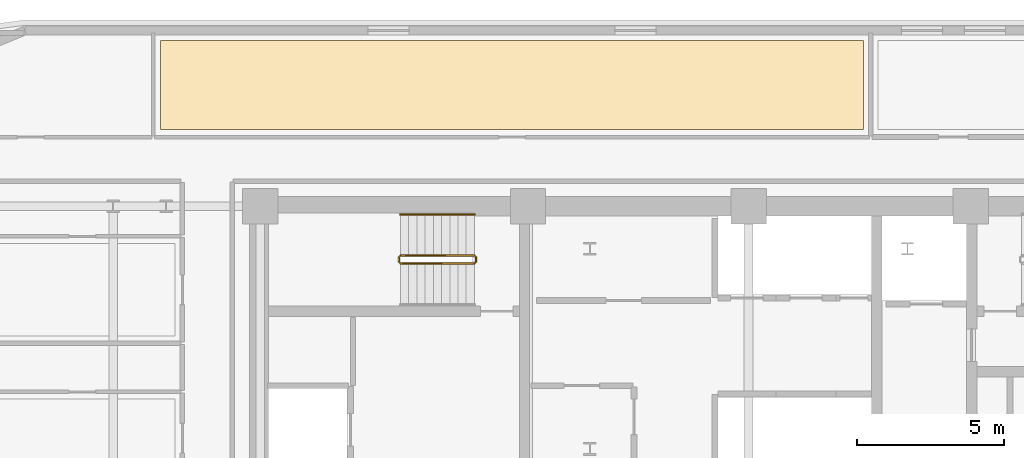
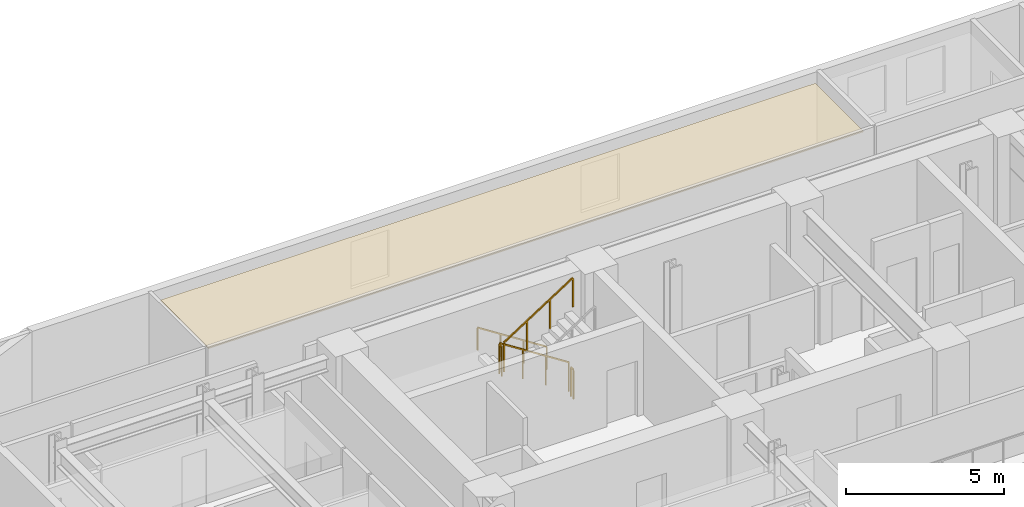
# One storey, part 13 of 14: 5 railings, 1 covering.
"""IFC4 building model written with IfcOpenShell, lengths in metres."""

from ifc_helpers import new_model, si_unit, direction, frame, origin, origin_2d, place, context, subcontext, project, spatial, polyline, rectangle, outline, extrude, material, layer, layer_set, type_object, element, save


model = new_model("IFC4")

# Units and contexts
model_context = context("Model", 3, precision=1e-05, world=origin(), true_north=direction((0.0, 1.0)))
body_context = subcontext(model_context, "Body", "Model", "MODEL_VIEW")
ifc_project = project(units=[si_unit("LENGTHUNIT", "METRE"), si_unit("AREAUNIT", "SQUARE_METRE"), si_unit("VOLUMEUNIT", "CUBIC_METRE"), si_unit("PLANEANGLEUNIT", "RADIAN"), si_unit("MASSUNIT", "GRAM", prefix="KILO")], contexts=[model_context])

# Site, building, storey
site_placement = place(None, origin())
site = spatial("IfcSite", under=ifc_project, at=site_placement, CompositionType="ELEMENT")
building_placement = place(site_placement, origin())
building = spatial("IfcBuilding", under=site, at=building_placement, Name="Zarnavel Station Tower", CompositionType="ELEMENT")
storey_placement = place(building_placement, frame((0.0, 0.0, 129.300048828125)))
storey = spatial("IfcBuildingStorey", under=building, at=storey_placement, Name="L35", CompositionType="ELEMENT", Elevation=129.300048828125)

# Covering
ifc_material_1 = material(Name="Perforated Gypsum and Mineral-Wool Acoustic Ceiling", Category="concrete")
ifc_layer = layer(ifc_material_1, 0.0400390625)
ifc_layer_set = layer_set([ifc_layer], Name="COV_CEIL_ACOUSTIC")
covering_type = type_object("IfcCoveringType", Name="COV_CEIL_ACOUSTIC", PredefinedType="CEILING", material=ifc_layer_set)
covering_placement = place(storey_placement, frame((0.0, 0.0, 2.9599609375)))
element("IfcCovering", 1, at=covering_placement, inside=storey, type_object=covering_type, Name="L35 NCLB Acoustic Ceiling", PredefinedType="CEILING", context=body_context, shape_type="SweptSolid", body=[
    extrude(outline(polyline([(8.81005859375, 39.64990234375), (32.699951171875, 39.64990234375), (32.699951171875, 42.68994140625), (8.81005859375, 42.68994140625), (8.81005859375, 39.64990234375)])), origin(), (0.0, 0.0, 1.0), 0.0400390625),
])

# Railings
ifc_material_2 = material(Name="Painted Steel S355J2 Balustrade", Category="steel")
railing_type_1 = type_object("IfcRailingType", Name="GR_INT_1150", PredefinedType="GUARDRAIL", material=ifc_material_2)
railing_1_placement = place(storey_placement, frame((19.47998046875, 35.3701171875, 0.179931640625)))
element("IfcRailing", 2, at=railing_1_placement, inside=storey, type_object=railing_type_1, Name="L35 ST1 stair guard 1", PredefinedType="GUARDRAIL", context=body_context, shape_type="SweptSolid", body=[
    extrude(rectangle(XDim=0.048095703125, YDim=0.048095703125, at=origin_2d()), frame((-0.001708984375, 0.0, 1.126953125), z_axis=(-0.841162588446, 0.0, 0.540782303519), x_axis=(0.0, -1.0, 0.0)), (0.0, 0.0, 1.0), 2.991943359375),
    extrude(rectangle(XDim=0.0419921875, YDim=0.0419921875, at=origin_2d()), origin(), (0.0, 0.0, 1.0), 1.101806640625),
    extrude(rectangle(XDim=0.0419921875, YDim=0.0419921875, at=origin_2d()), frame((-0.840087890625, 0.0, 0.5400390625)), (0.0, 0.0, 1.0), 1.101806640625),
    extrude(rectangle(XDim=0.0419921875, YDim=0.0419921875, at=origin_2d()), frame((-1.679931640625, 0.0, 1.080078125)), (0.0, 0.0, 1.0), 1.101806640625),
    extrude(rectangle(XDim=0.0419921875, YDim=0.0419921875, at=origin_2d()), frame((-2.52001953125, 0.0, 1.6201171875)), (0.0, 0.0, 1.0), 1.101806640625),
])
railing_2_placement = place(storey_placement, frame((16.909912109375, 35.320068359375, 1.800048828125)))
element("IfcRailing", 3, at=railing_2_placement, inside=storey, type_object=railing_type_1, Name="L35 ST1 stair guard 2", PredefinedType="GUARDRAIL", context=body_context, shape_type="SweptSolid", body=[
    extrude(rectangle(XDim=0.048095703125, YDim=0.048095703125, at=origin_2d()), frame((0.0, -0.001953125, 1.1259765625), z_axis=(0.0, -1.0, 0.0), x_axis=(1.0, 0.0, 0.0)), (0.0, 0.0, 1.0), 0.15625),
    extrude(rectangle(XDim=0.0419921875, YDim=0.0419921875, at=origin_2d()), origin(), (0.0, 0.0, 1.0), 1.101806640625),
    extrude(rectangle(XDim=0.0419921875, YDim=0.0419921875, at=origin_2d()), frame((0.0, -0.16015625, 0.0)), (0.0, 0.0, 1.0), 1.101806640625),
])
railing_3_placement = place(storey_placement, frame((16.9599609375, 35.110107421875, 1.97998046875)))
element("IfcRailing", 4, at=railing_3_placement, inside=storey, type_object=railing_type_1, Name="L35 ST1 stair guard 3", PredefinedType="GUARDRAIL", context=body_context, shape_type="SweptSolid", body=[
    extrude(rectangle(XDim=0.048095703125, YDim=0.048095703125, at=origin_2d()), frame((0.001708984375, 0.0, 1.126953125), z_axis=(0.841199657755, 0.0, 0.540724639528), x_axis=(0.0, 1.0, 0.0)), (0.0, 0.0, 1.0), 2.99169921875),
    extrude(rectangle(XDim=0.0419921875, YDim=0.0419921875, at=origin_2d()), origin(), (0.0, 0.0, 1.0), 1.101806640625),
    extrude(rectangle(XDim=0.0419921875, YDim=0.0419921875, at=origin_2d()), frame((0.840087890625, 0.0, 0.5400390625)), (0.0, 0.0, 1.0), 1.101806640625),
    extrude(rectangle(XDim=0.0419921875, YDim=0.0419921875, at=origin_2d()), frame((1.679931640625, 0.0, 1.079833984375)), (0.0, 0.0, 1.0), 1.101806640625),
    extrude(rectangle(XDim=0.0419921875, YDim=0.0419921875, at=origin_2d()), frame((2.52001953125, 0.0, 1.619873046875)), (0.0, 0.0, 1.0), 1.101806640625),
])
railing_4_placement = place(storey_placement, frame((19.530029296875, 35.320068359375, 0.0)))
element("IfcRailing", 5, at=railing_4_placement, inside=storey, type_object=railing_type_1, Name="L35 ST1 stair guard 4", PredefinedType="GUARDRAIL", context=body_context, shape_type="SweptSolid", body=[
    extrude(rectangle(XDim=0.048095703125, YDim=0.048095703125, at=origin_2d()), frame((0.0, -0.001953125, 1.1259765625), z_axis=(0.0, -1.0, 0.0), x_axis=(1.0, 0.0, 0.0)), (0.0, 0.0, 1.0), 0.15625),
    extrude(rectangle(XDim=0.0419921875, YDim=0.0419921875, at=origin_2d()), origin(), (0.0, 0.0, 1.0), 1.101806640625),
    extrude(rectangle(XDim=0.0419921875, YDim=0.0419921875, at=origin_2d()), frame((0.0, -0.16015625, 0.0)), (0.0, 0.0, 1.0), 1.101806640625),
])
ifc_material_3 = material(Name="Brushed Stainless Steel S355J2 Handrail", Category="steel")
railing_type_2 = type_object("IfcRailingType", Name="HR_STAIR_900", PredefinedType="HANDRAIL", material=ifc_material_3)
railing_5_placement = place(storey_placement, frame((19.47998046875, 36.77001953125, 0.179931640625)))
element("IfcRailing", 6, at=railing_5_placement, inside=storey, type_object=railing_type_2, Name="L35 ST1 stair handrail 1", PredefinedType="HANDRAIL", context=body_context, shape_type="SweptSolid", body=[
    extrude(rectangle(XDim=0.048095703125, YDim=0.048095703125, at=origin_2d()), frame((-0.001708984375, 0.0, 0.876953125), z_axis=(-0.841162588446, 0.0, 0.540782303519), x_axis=(0.0, -1.0, 0.0)), (0.0, 0.0, 1.0), 2.991943359375),
    extrude(rectangle(XDim=0.0419921875, YDim=0.0419921875, at=origin_2d()), origin(), (0.0, 0.0, 1.0), 0.851806640625),
    extrude(rectangle(XDim=0.0419921875, YDim=0.0419921875, at=origin_2d()), frame((-0.840087890625, 0.0, 0.5400390625)), (0.0, 0.0, 1.0), 0.851806640625),
    extrude(rectangle(XDim=0.0419921875, YDim=0.0419921875, at=origin_2d()), frame((-1.679931640625, 0.0, 1.080078125)), (0.0, 0.0, 1.0), 0.851806640625),
    extrude(rectangle(XDim=0.0419921875, YDim=0.0419921875, at=origin_2d()), frame((-2.52001953125, 0.0, 1.6201171875)), (0.0, 0.0, 1.0), 0.851806640625),
])

save(model, "model.ifc")
